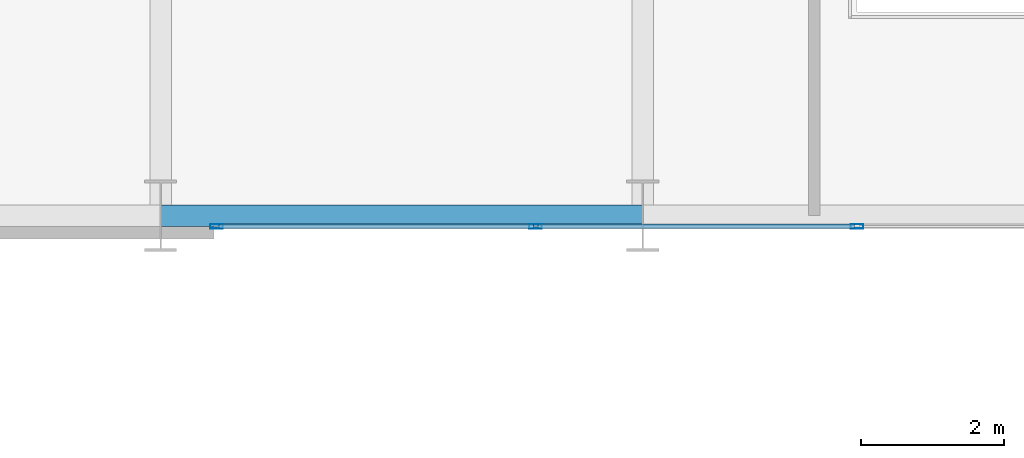
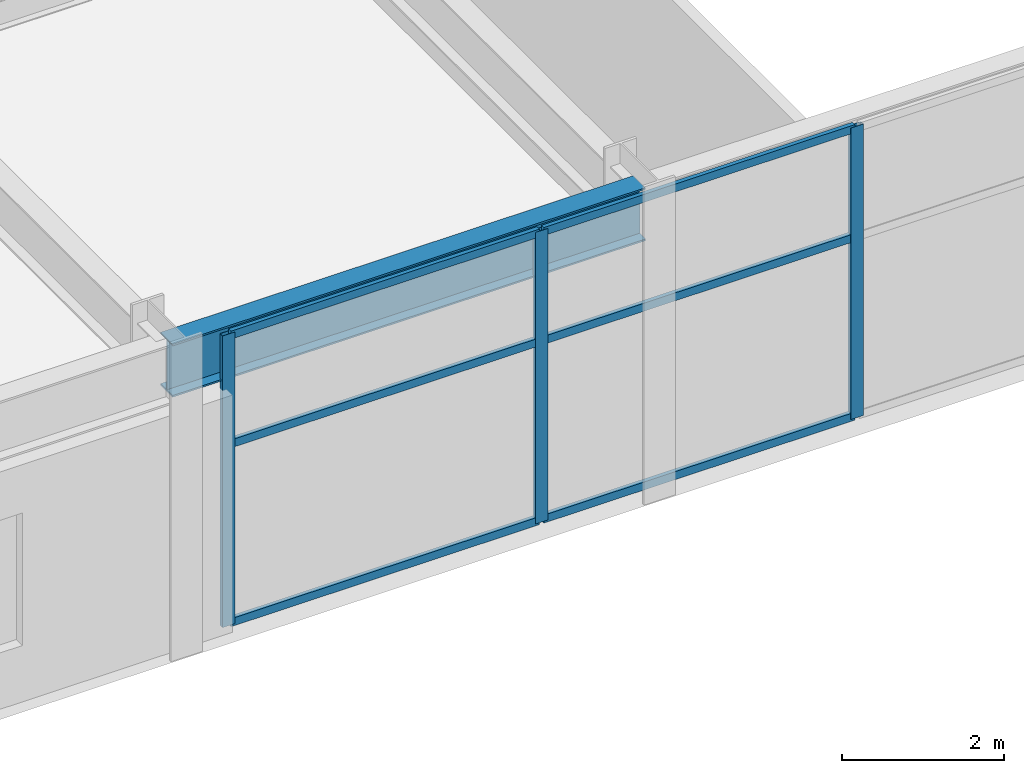
# One storey, part 4 of 30: 9 members, 1 beam, 1 element without a shape of its own.
"""IFC4 building model written with IfcOpenShell, lengths in metres."""

from ifc_helpers import new_model, si_unit, direction, frame, origin, origin_2d, place, context, subcontext, project, spatial, hollow_rectangle, i_section, extrude, material, layer, layer_set, material_profile, profile_set, type_object, element, aggregate, save


model = new_model("IFC4")

# Units and contexts
model_context = context("Model", 3, precision=1e-05, world=origin(), true_north=direction((0.0, 1.0)))
body_context = subcontext(model_context, "Body", "Model", "MODEL_VIEW")
ifc_project = project(units=[si_unit("LENGTHUNIT", "METRE"), si_unit("AREAUNIT", "SQUARE_METRE"), si_unit("VOLUMEUNIT", "CUBIC_METRE"), si_unit("PLANEANGLEUNIT", "RADIAN"), si_unit("MASSUNIT", "GRAM", prefix="KILO")], contexts=[model_context])

# Site, building, storey
site_placement = place(None, origin())
site = spatial("IfcSite", under=ifc_project, at=site_placement, CompositionType="ELEMENT")
building_placement = place(site_placement, origin())
building = spatial("IfcBuilding", under=site, at=building_placement, Name="Haevon Station Towers", CompositionType="ELEMENT")
storey_placement = place(building_placement, frame((0.0, 0.0, 15.60009765625)))
storey = spatial("IfcBuildingStorey", under=building, at=storey_placement, Name="L03", CompositionType="ELEMENT", Elevation=15.60009765625)

# Beam
ifc_material_1 = material(Name="Steel S355", Category="steel")
ifc_material_profile_1 = material_profile(ifc_material_1, i_section(OverallWidth=0.300048828125, OverallDepth=0.800048828125, WebThickness=0.013916015625, FlangeThickness=0.02587890625, at=origin_2d()), Name="H-800x300x14x26")
ifc_profile_set_1 = profile_set([ifc_material_profile_1], Name="Steel S355")
beam_type = type_object("IfcBeamType", Name="BM-PG800", PredefinedType="BEAM", material=ifc_profile_set_1)
beam_placement = place(storey_placement, frame((44.25, 15.14990234375, 4.099853515625), z_axis=(1.0, 0.0, 0.0), x_axis=(0.0, 1.0, 0.0)))
element("IfcBeam", 1, at=beam_placement, inside=storey, type_object=beam_type, Name="BM-T1X-L03-01-05", PredefinedType="BEAM", context=body_context, shape_type="SweptSolid", body=[
    extrude(i_section(OverallWidth=0.300048828125, OverallDepth=0.800048828125, WebThickness=0.013916015625, FlangeThickness=0.02587890625, at=origin_2d()), origin(), (0.0, 0.0, 1.0), 6.75),
])

# Curtain wall, members
ifc_material_2 = material(Name="Anodised aluminium and Low-E double glazing", Category="aluminium")
ifc_layer = layer(ifc_material_2, 0.179931640625)
ifc_layer_set = layer_set([ifc_layer], Name="Anodised aluminium and Low-E double glazing")
curtain_wall_type = type_object("IfcCurtainWallType", Name="CW-SYS2", PredefinedType="NOTDEFINED", material=ifc_layer_set)
curtain_wall_placement = place(storey_placement, origin())
curtain_wall = element("IfcCurtainWall", 2, at=curtain_wall_placement, inside=storey, type_object=curtain_wall_type, Name="L03 Curtain Wall CW-POD-L03-S2", PredefinedType="NOTDEFINED")
ifc_material_3 = material(Name="Anodised aluminium 6063-T6", Category="aluminium")
ifc_material_profile_2 = material_profile(ifc_material_3, hollow_rectangle(XDim=0.06494140625, YDim=0.179931640625, WallThickness=0.00390625, at=origin_2d()), Name="CWM-180x65x4")
ifc_profile_set_2 = profile_set([ifc_material_profile_2], Name="Anodised aluminium 6063-T6")
member_type_1 = type_object("IfcMemberType", Name="CWM-180", PredefinedType="MULLION", material=ifc_profile_set_2)
member_1_placement = place(storey_placement, frame((54.0, 15.0, 0.0), z_axis=(0.0, 0.0, 1.0), x_axis=(0.0, -1.0, 0.0)))
member_1 = element("IfcMember", 3, at=member_1_placement, type_object=member_type_1, Name="CW-SYS2 mullion 2", PredefinedType="MULLION", context=body_context, shape_type="SweptSolid", body=[
    extrude(hollow_rectangle(XDim=0.06494140625, YDim=0.179931640625, WallThickness=0.00390625, at=origin_2d()), origin(), (0.0, 0.0, 1.0), 4.39990234375),
])
member_2_placement = place(storey_placement, frame((49.5, 15.0, 0.0), z_axis=(0.0, 0.0, 1.0), x_axis=(0.0, -1.0, 0.0)))
member_2 = element("IfcMember", 4, at=member_2_placement, type_object=member_type_1, Name="CW-SYS2 mullion 3", PredefinedType="MULLION", context=body_context, shape_type="SweptSolid", body=[
    extrude(hollow_rectangle(XDim=0.06494140625, YDim=0.179931640625, WallThickness=0.00390625, at=origin_2d()), origin(), (0.0, 0.0, 1.0), 4.39990234375),
])
member_3_placement = place(storey_placement, frame((45.032470703125, 15.0, 0.0), z_axis=(0.0, 0.0, 1.0), x_axis=(0.0, -1.0, 0.0)))
member_3 = element("IfcMember", 5, at=member_3_placement, type_object=member_type_1, Name="CW-SYS2 mullion 4", PredefinedType="MULLION", context=body_context, shape_type="SweptSolid", body=[
    extrude(hollow_rectangle(XDim=0.06494140625, YDim=0.179931640625, WallThickness=0.00390625, at=origin_2d()), origin(), (0.0, 0.0, 1.0), 4.39990234375),
])
ifc_material_profile_3 = material_profile(ifc_material_3, hollow_rectangle(XDim=0.06005859375, YDim=0.1201171875, WallThickness=0.0029296875, at=origin_2d()), Name="CWT-120x60x3")
ifc_profile_set_3 = profile_set([ifc_material_profile_3], Name="Anodised aluminium 6063-T6")
member_type_2 = type_object("IfcMemberType", Name="CWT-120", PredefinedType="USERDEFINED", material=ifc_profile_set_3)
member_4_placement = place(storey_placement, frame((53.967529296875, 15.0, 0.02978515625), z_axis=(-1.0, 0.0, 0.0), x_axis=(0.0, -1.0, 0.0)))
member_4 = element("IfcMember", 6, at=member_4_placement, type_object=member_type_2, Name="CW-SYS2 transom 2.1", ObjectType="TRANSOM", PredefinedType="USERDEFINED", context=body_context, shape_type="SweptSolid", body=[
    extrude(hollow_rectangle(XDim=0.06005859375, YDim=0.1201171875, WallThickness=0.0029296875, at=origin_2d()), origin(), (0.0, 0.0, 1.0), 4.43505859375),
])
member_5_placement = place(storey_placement, frame((53.967529296875, 15.0, 2.727783203125), z_axis=(-1.0, 0.0, 0.0), x_axis=(0.0, -1.0, 0.0)))
member_5 = element("IfcMember", 7, at=member_5_placement, type_object=member_type_2, Name="CW-SYS2 transom 2.2", ObjectType="TRANSOM", PredefinedType="USERDEFINED", context=body_context, shape_type="SweptSolid", body=[
    extrude(hollow_rectangle(XDim=0.06005859375, YDim=0.1201171875, WallThickness=0.0029296875, at=origin_2d()), origin(), (0.0, 0.0, 1.0), 4.43505859375),
])
member_6_placement = place(storey_placement, frame((53.967529296875, 15.0, 4.369873046875), z_axis=(-1.0, 0.0, 0.0), x_axis=(0.0, -1.0, 0.0)))
member_6 = element("IfcMember", 8, at=member_6_placement, type_object=member_type_2, Name="CW-SYS2 transom 2.3", ObjectType="TRANSOM", PredefinedType="USERDEFINED", context=body_context, shape_type="SweptSolid", body=[
    extrude(hollow_rectangle(XDim=0.06005859375, YDim=0.1201171875, WallThickness=0.0029296875, at=origin_2d()), origin(), (0.0, 0.0, 1.0), 4.43505859375),
])
member_7_placement = place(storey_placement, frame((49.467529296875, 15.0, 0.02978515625), z_axis=(-1.0, 0.0, 0.0), x_axis=(0.0, -1.0, 0.0)))
member_7 = element("IfcMember", 9, at=member_7_placement, type_object=member_type_2, Name="CW-SYS2 transom 3.1", ObjectType="TRANSOM", PredefinedType="USERDEFINED", context=body_context, shape_type="SweptSolid", body=[
    extrude(hollow_rectangle(XDim=0.06005859375, YDim=0.1201171875, WallThickness=0.0029296875, at=origin_2d()), origin(), (0.0, 0.0, 1.0), 4.402587890625),
])
member_8_placement = place(storey_placement, frame((49.467529296875, 15.0, 2.727783203125), z_axis=(-1.0, 0.0, 0.0), x_axis=(0.0, -1.0, 0.0)))
member_8 = element("IfcMember", 10, at=member_8_placement, type_object=member_type_2, Name="CW-SYS2 transom 3.2", ObjectType="TRANSOM", PredefinedType="USERDEFINED", context=body_context, shape_type="SweptSolid", body=[
    extrude(hollow_rectangle(XDim=0.06005859375, YDim=0.1201171875, WallThickness=0.0029296875, at=origin_2d()), origin(), (0.0, 0.0, 1.0), 4.402587890625),
])
member_9_placement = place(storey_placement, frame((49.467529296875, 15.0, 4.369873046875), z_axis=(-1.0, 0.0, 0.0), x_axis=(0.0, -1.0, 0.0)))
member_9 = element("IfcMember", 11, at=member_9_placement, type_object=member_type_2, Name="CW-SYS2 transom 3.3", ObjectType="TRANSOM", PredefinedType="USERDEFINED", context=body_context, shape_type="SweptSolid", body=[
    extrude(hollow_rectangle(XDim=0.06005859375, YDim=0.1201171875, WallThickness=0.0029296875, at=origin_2d()), origin(), (0.0, 0.0, 1.0), 4.402587890625),
])
aggregate(curtain_wall, [member_1, member_2, member_3, member_4, member_5, member_6, member_7, member_8, member_9])

save(model, "model.ifc")
